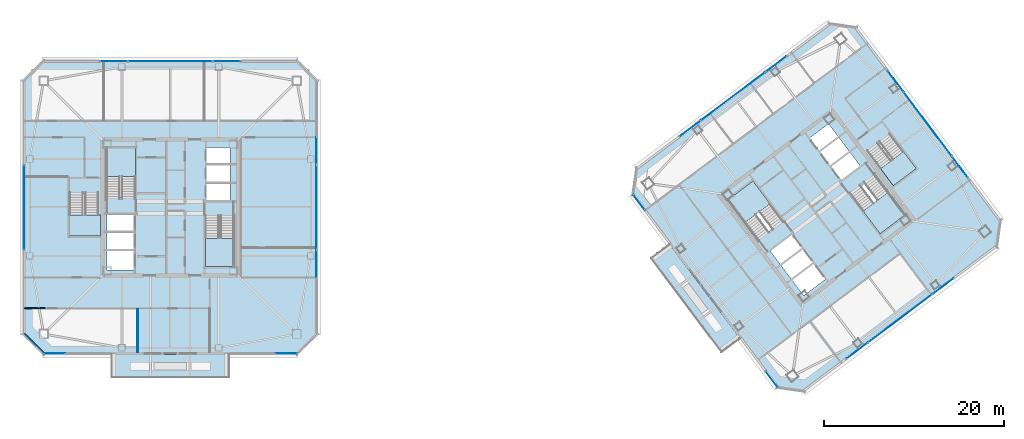
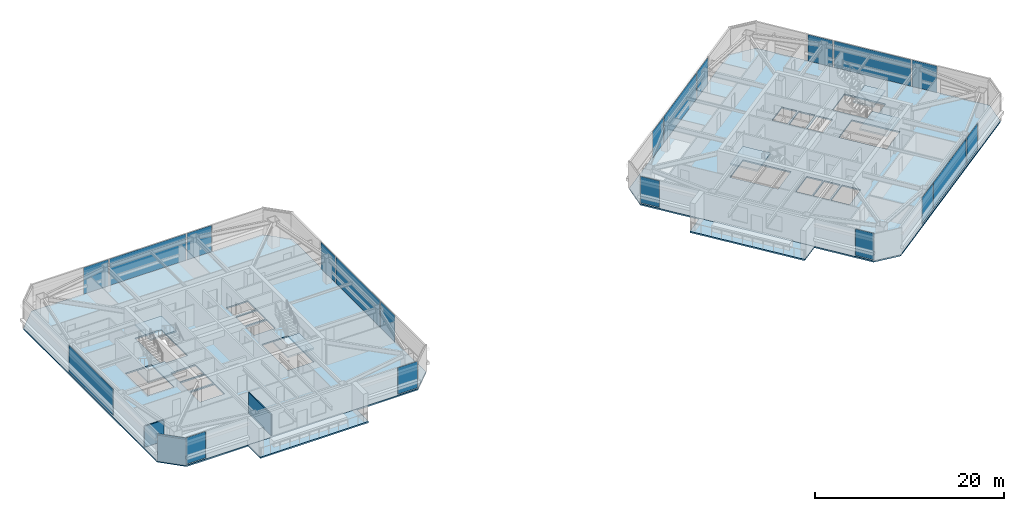
# One storey, part 28 of 40: 20 plates, 10 slabs, 3 walls, 26 elements without a shape of their own.
"""IFC4 building model written with IfcOpenShell, lengths in metres."""

from ifc_helpers import new_model, si_unit, direction, frame, frame_2d, origin, origin_2d, place, context, subcontext, project, spatial, polyline, rectangle, outline, extrude, material, layer, layer_set, type_object, element, aggregate, save


model = new_model("IFC4")

# Units and contexts
model_context = context("Model", 3, precision=1e-05, world=origin(), true_north=direction((0.0, 1.0)))
body_context = subcontext(model_context, "Body", "Model", "MODEL_VIEW")
ifc_project = project(units=[si_unit("LENGTHUNIT", "METRE"), si_unit("AREAUNIT", "SQUARE_METRE"), si_unit("VOLUMEUNIT", "CUBIC_METRE"), si_unit("PLANEANGLEUNIT", "RADIAN"), si_unit("MASSUNIT", "GRAM", prefix="KILO")], contexts=[model_context])

# Site, building, storey
site_placement = place(None, origin())
site = spatial("IfcSite", under=ifc_project, at=site_placement, CompositionType="ELEMENT")
building_placement = place(site_placement, origin())
building = spatial("IfcBuilding", under=site, at=building_placement, Name="Tashvorn Skyway Center", CompositionType="ELEMENT")
storey_placement = place(building_placement, frame((0.0, 0.0, 221.949951171875)))
storey = spatial("IfcBuildingStorey", under=building, at=storey_placement, Name="L60", CompositionType="ELEMENT", Elevation=221.949951171875)

# Curtain wall, plate
ifc_material_1 = material(Name="Thermally broken bronze-anodized aluminium 6063-T6", Category="aluminium")
curtain_wall_type = type_object("IfcCurtainWallType", Name="CW-CW-Z5", PredefinedType="NOTDEFINED", material=ifc_material_1)
curtain_wall_1_placement = place(storey_placement, origin())
curtain_wall_1 = element("IfcCurtainWall", 1, at=curtain_wall_1_placement, inside=storey, type_object=curtain_wall_type, Name="Tower 1 L60 South Curtain Wall L Glazing Group 1", PredefinedType="NOTDEFINED")
ifc_material_2 = material(Name="Low-E solar-control double insulating safety glass", Category="glass")
ifc_layer_1 = layer(ifc_material_2, 0.031982421875)
ifc_layer_set_1 = layer_set([ifc_layer_1], Name="Low-E solar-control double insulating safety glass")
plate_type = type_object("IfcPlateType", Name="CWP-CW-Z5", PredefinedType="CURTAIN_PANEL", material=ifc_layer_set_1)
plate_1_placement = place(storey_placement, frame((54.916748046875, 15.719970703125, 0.0703125), z_axis=(0.0, 0.0, 1.0), x_axis=(-1.0, 0.0, 0.0)))
plate_1 = element("IfcPlate", 2, at=plate_1_placement, type_object=plate_type, Name="CW-Z5 panel 1.1", PredefinedType="CURTAIN_PANEL", context=body_context, shape_type="SweptSolid", body=[
    extrude(rectangle(XDim=2.38671875, YDim=0.031982421875, at=origin_2d()), origin(), (0.0, 0.0, 1.0), 3.409912109375),
])
aggregate(curtain_wall_1, [plate_1])

curtain_wall_2_placement = place(storey_placement, origin())
curtain_wall_2 = element("IfcCurtainWall", 3, at=curtain_wall_2_placement, inside=storey, type_object=curtain_wall_type, Name="Tower 1 L60 South Curtain Wall R Glazing Group 1", PredefinedType="NOTDEFINED")
plate_2_placement = place(storey_placement, frame((29.083251953125, 15.719970703125, 0.0703125), z_axis=(0.0, 0.0, 1.0), x_axis=(-1.0, 0.0, 0.0)))
plate_2 = element("IfcPlate", 4, at=plate_2_placement, type_object=plate_type, Name="CW-Z5 panel 1.1", PredefinedType="CURTAIN_PANEL", context=body_context, shape_type="SweptSolid", body=[
    extrude(rectangle(XDim=2.38671875, YDim=0.031982421875, at=origin_2d()), origin(), (0.0, 0.0, 1.0), 3.409912109375),
])
aggregate(curtain_wall_2, [plate_2])

curtain_wall_3_placement = place(storey_placement, origin())
curtain_wall_3 = element("IfcCurtainWall", 5, at=curtain_wall_3_placement, inside=storey, type_object=curtain_wall_type, Name="Tower 1 L60 West Unitised Curtain Wall Glazing Group 1", PredefinedType="NOTDEFINED")
plate_3_placement = place(storey_placement, frame((25.719970703125, 32.0, 0.0703125), z_axis=(0.0, 0.0, 1.0), x_axis=(0.0, 1.0, 0.0)))
plate_3 = element("IfcPlate", 6, at=plate_3_placement, type_object=plate_type, Name="CW-Z5 panel 1.1", PredefinedType="CURTAIN_PANEL", context=body_context, shape_type="SweptSolid", body=[
    extrude(rectangle(XDim=9.3134765625, YDim=0.031982421875, at=origin_2d()), origin(), (0.0, 0.0, 1.0), 3.409912109375),
])
aggregate(curtain_wall_3, [plate_3])

curtain_wall_4_placement = place(storey_placement, origin())
curtain_wall_4 = element("IfcCurtainWall", 7, at=curtain_wall_4_placement, inside=storey, type_object=curtain_wall_type, Name="Tower 1 L60 North Unitised Curtain Wall Glazing Group 1", PredefinedType="NOTDEFINED")
plate_4_placement = place(storey_placement, frame((35.69775390625, 48.280029296875, 0.0703125), z_axis=(0.0, 0.0, 1.0), x_axis=(1.0, 0.0, 0.0)))
plate_4 = element("IfcPlate", 8, at=plate_4_placement, type_object=plate_type, Name="CW-Z5 panel 1.1", PredefinedType="CURTAIN_PANEL", context=body_context, shape_type="SweptSolid", body=[
    extrude(rectangle(XDim=3.010986328125, YDim=0.031982421875, at=origin_2d()), origin(), (0.0, 0.0, 1.0), 3.409912109375),
])
aggregate(curtain_wall_4, [plate_4])

curtain_wall_5_placement = place(storey_placement, origin())
curtain_wall_5 = element("IfcCurtainWall", 9, at=curtain_wall_5_placement, inside=storey, type_object=curtain_wall_type, Name="Tower 1 L60 North Unitised Curtain Wall Glazing Group 2", PredefinedType="NOTDEFINED")
plate_5_placement = place(storey_placement, frame((42.0, 48.280029296875, 0.0703125), z_axis=(0.0, 0.0, 1.0), x_axis=(1.0, 0.0, 0.0)))
plate_5 = element("IfcPlate", 10, at=plate_5_placement, type_object=plate_type, Name="CW-Z5 panel 1.1", PredefinedType="CURTAIN_PANEL", context=body_context, shape_type="SweptSolid", body=[
    extrude(rectangle(XDim=9.3134765625, YDim=0.031982421875, at=origin_2d()), origin(), (0.0, 0.0, 1.0), 3.409912109375),
])
aggregate(curtain_wall_5, [plate_5])

curtain_wall_6_placement = place(storey_placement, origin())
curtain_wall_6 = element("IfcCurtainWall", 11, at=curtain_wall_6_placement, inside=storey, type_object=curtain_wall_type, Name="Tower 1 L60 North Unitised Curtain Wall Glazing Group 3", PredefinedType="NOTDEFINED")
plate_6_placement = place(storey_placement, frame((48.30224609375, 48.280029296875, 0.0703125), z_axis=(0.0, 0.0, 1.0), x_axis=(1.0, 0.0, 0.0)))
plate_6 = element("IfcPlate", 12, at=plate_6_placement, type_object=plate_type, Name="CW-Z5 panel 1.1", PredefinedType="CURTAIN_PANEL", context=body_context, shape_type="SweptSolid", body=[
    extrude(rectangle(XDim=3.010986328125, YDim=0.031982421875, at=origin_2d()), origin(), (0.0, 0.0, 1.0), 3.409912109375),
])
aggregate(curtain_wall_6, [plate_6])

curtain_wall_7_placement = place(storey_placement, origin())
curtain_wall_7 = element("IfcCurtainWall", 13, at=curtain_wall_7_placement, inside=storey, type_object=curtain_wall_type, Name="Tower 1 L60 East Unitised Curtain Wall Glazing Group 1", PredefinedType="NOTDEFINED")
plate_7_placement = place(storey_placement, frame((58.280029296875, 38.30224609375, 0.0703125), z_axis=(0.0, 0.0, 1.0), x_axis=(0.0, -1.0, 0.0)))
plate_7 = element("IfcPlate", 14, at=plate_7_placement, type_object=plate_type, Name="CW-Z5 panel 1.1", PredefinedType="CURTAIN_PANEL", context=body_context, shape_type="SweptSolid", body=[
    extrude(rectangle(XDim=3.010986328125, YDim=0.031982421875, at=origin_2d()), origin(), (0.0, 0.0, 1.0), 3.409912109375),
])
aggregate(curtain_wall_7, [plate_7])

curtain_wall_8_placement = place(storey_placement, origin())
curtain_wall_8 = element("IfcCurtainWall", 15, at=curtain_wall_8_placement, inside=storey, type_object=curtain_wall_type, Name="Tower 1 L60 East Unitised Curtain Wall Glazing Group 2", PredefinedType="NOTDEFINED")
plate_8_placement = place(storey_placement, frame((58.280029296875, 32.0, 0.0703125), z_axis=(0.0, 0.0, 1.0), x_axis=(0.0, -1.0, 0.0)))
plate_8 = element("IfcPlate", 16, at=plate_8_placement, type_object=plate_type, Name="CW-Z5 panel 1.1", PredefinedType="CURTAIN_PANEL", context=body_context, shape_type="SweptSolid", body=[
    extrude(rectangle(XDim=9.3134765625, YDim=0.031982421875, at=origin_2d()), origin(), (0.0, 0.0, 1.0), 3.409912109375),
])
aggregate(curtain_wall_8, [plate_8])

curtain_wall_9_placement = place(storey_placement, origin())
curtain_wall_9 = element("IfcCurtainWall", 17, at=curtain_wall_9_placement, inside=storey, type_object=curtain_wall_type, Name="Tower 1 L60 East Unitised Curtain Wall Glazing Group 3", PredefinedType="NOTDEFINED")
plate_9_placement = place(storey_placement, frame((58.280029296875, 25.69775390625, 0.0703125), z_axis=(0.0, 0.0, 1.0), x_axis=(0.0, -1.0, 0.0)))
plate_9 = element("IfcPlate", 18, at=plate_9_placement, type_object=plate_type, Name="CW-Z5 panel 1.1", PredefinedType="CURTAIN_PANEL", context=body_context, shape_type="SweptSolid", body=[
    extrude(rectangle(XDim=3.010986328125, YDim=0.031982421875, at=origin_2d()), origin(), (0.0, 0.0, 1.0), 3.409912109375),
])
aggregate(curtain_wall_9, [plate_9])

curtain_wall_10_placement = place(storey_placement, origin())
curtain_wall_10 = element("IfcCurtainWall", 19, at=curtain_wall_10_placement, inside=storey, type_object=curtain_wall_type, Name="Tower 2 L60 South Unitised Curtain Wall Glazing Group 1", PredefinedType="NOTDEFINED")
plate_10_placement = place(storey_placement, frame((128.080810546875, 23.210693359375, 0.0703125), z_axis=(0.0, 0.0, 1.0), x_axis=(-0.799999999998, -0.600000000002, 0.0)))
plate_10 = element("IfcPlate", 20, at=plate_10_placement, type_object=plate_type, Name="CW-Z5 panel 1.1", PredefinedType="CURTAIN_PANEL", context=body_context, shape_type="SweptSolid", body=[
    extrude(rectangle(XDim=2.85546875, YDim=0.031982421875, at=origin_2d()), origin(), (0.0, 0.0, 1.0), 3.409912109375),
])
aggregate(curtain_wall_10, [plate_10])

curtain_wall_11_placement = place(storey_placement, origin())
curtain_wall_11 = element("IfcCurtainWall", 21, at=curtain_wall_11_placement, inside=storey, type_object=curtain_wall_type, Name="Tower 2 L60 South Unitised Curtain Wall Glazing Group 2", PredefinedType="NOTDEFINED")
plate_11_placement = place(storey_placement, frame((123.2880859375, 19.615966796875, 0.0703125), z_axis=(0.0, 0.0, 1.0), x_axis=(-0.800002670596, -0.599996439189, 0.0)))
plate_11 = element("IfcPlate", 22, at=plate_11_placement, type_object=plate_type, Name="CW-Z5 panel 1.1", PredefinedType="CURTAIN_PANEL", context=body_context, shape_type="SweptSolid", body=[
    extrude(rectangle(XDim=8.8466796875, YDim=0.031982421875, at=origin_2d()), origin(), (0.0, 0.0, 1.0), 3.409912109375),
])
aggregate(curtain_wall_11, [plate_11])

curtain_wall_12_placement = place(storey_placement, origin())
curtain_wall_12 = element("IfcCurtainWall", 23, at=curtain_wall_12_placement, inside=storey, type_object=curtain_wall_type, Name="Tower 2 L60 South Unitised Curtain Wall Glazing Group 3", PredefinedType="NOTDEFINED")
plate_12_placement = place(storey_placement, frame((118.4951171875, 16.021240234375, 0.0703125), z_axis=(0.0, 0.0, 1.0), x_axis=(-0.799999999998, -0.600000000002, 0.0)))
plate_12 = element("IfcPlate", 24, at=plate_12_placement, type_object=plate_type, Name="CW-Z5 panel 1.1", PredefinedType="CURTAIN_PANEL", context=body_context, shape_type="SweptSolid", body=[
    extrude(rectangle(XDim=2.85546875, YDim=0.031982421875, at=origin_2d()), origin(), (0.0, 0.0, 1.0), 3.409912109375),
])
aggregate(curtain_wall_12, [plate_12])

curtain_wall_13_placement = place(storey_placement, origin())
curtain_wall_13 = element("IfcCurtainWall", 25, at=curtain_wall_13_placement, inside=storey, type_object=curtain_wall_type, Name="Tower 2 L60 West Curtain Wall L Glazing Group 1", PredefinedType="NOTDEFINED")
plate_13_placement = place(storey_placement, frame((109.01611328125, 12.845458984375, 0.0703125), z_axis=(0.0, 0.0, 1.0), x_axis=(-0.599993023312, 0.800005232469, 0.0)))
plate_13 = element("IfcPlate", 26, at=plate_13_placement, type_object=plate_type, Name="CW-Z5 panel 1.1", PredefinedType="CURTAIN_PANEL", context=body_context, shape_type="SweptSolid", body=[
    extrude(rectangle(XDim=2.1533203125, YDim=0.031982421875, at=origin_2d()), origin(), (0.0, 0.0, 1.0), 3.409912109375),
])
aggregate(curtain_wall_13, [plate_13])

curtain_wall_14_placement = place(storey_placement, origin())
curtain_wall_14 = element("IfcCurtainWall", 27, at=curtain_wall_14_placement, inside=storey, type_object=curtain_wall_type, Name="Tower 2 L60 West Curtain Wall R Glazing Group 1", PredefinedType="NOTDEFINED")
plate_14_placement = place(storey_placement, frame((94.216064453125, 32.57861328125, 0.0703125), z_axis=(0.0, 0.0, 1.0), x_axis=(-0.599993023312, 0.800005232469, 0.0)))
plate_14 = element("IfcPlate", 28, at=plate_14_placement, type_object=plate_type, Name="CW-Z5 panel 1.1", PredefinedType="CURTAIN_PANEL", context=body_context, shape_type="SweptSolid", body=[
    extrude(rectangle(XDim=2.1533203125, YDim=0.031982421875, at=origin_2d()), origin(), (0.0, 0.0, 1.0), 3.409912109375),
])
aggregate(curtain_wall_14, [plate_14])

curtain_wall_15_placement = place(storey_placement, origin())
curtain_wall_15 = element("IfcCurtainWall", 29, at=curtain_wall_15_placement, inside=storey, type_object=curtain_wall_type, Name="Tower 2 L60 North Unitised Curtain Wall Glazing Group 1", PredefinedType="NOTDEFINED")
plate_15_placement = place(storey_placement, frame((99.919189453125, 40.789306640625, 0.0703125), z_axis=(0.0, 0.0, 1.0), x_axis=(0.799999999998, 0.600000000002, 0.0)))
plate_15 = element("IfcPlate", 30, at=plate_15_placement, type_object=plate_type, Name="CW-Z5 panel 1.1", PredefinedType="CURTAIN_PANEL", context=body_context, shape_type="SweptSolid", body=[
    extrude(rectangle(XDim=2.85546875, YDim=0.031982421875, at=origin_2d()), origin(), (0.0, 0.0, 1.0), 3.409912109375),
])
aggregate(curtain_wall_15, [plate_15])

curtain_wall_16_placement = place(storey_placement, origin())
curtain_wall_16 = element("IfcCurtainWall", 31, at=curtain_wall_16_placement, inside=storey, type_object=curtain_wall_type, Name="Tower 2 L60 North Unitised Curtain Wall Glazing Group 2", PredefinedType="NOTDEFINED")
plate_16_placement = place(storey_placement, frame((104.7119140625, 44.384033203125, 0.0703125), z_axis=(0.0, 0.0, 1.0), x_axis=(0.800002670596, 0.599996439189, 0.0)))
plate_16 = element("IfcPlate", 32, at=plate_16_placement, type_object=plate_type, Name="CW-Z5 panel 1.1", PredefinedType="CURTAIN_PANEL", context=body_context, shape_type="SweptSolid", body=[
    extrude(rectangle(XDim=8.8466796875, YDim=0.031982421875, at=origin_2d()), origin(), (0.0, 0.0, 1.0), 3.409912109375),
])
aggregate(curtain_wall_16, [plate_16])

curtain_wall_17_placement = place(storey_placement, origin())
curtain_wall_17 = element("IfcCurtainWall", 33, at=curtain_wall_17_placement, inside=storey, type_object=curtain_wall_type, Name="Tower 2 L60 North Unitised Curtain Wall Glazing Group 3", PredefinedType="NOTDEFINED")
plate_17_placement = place(storey_placement, frame((109.5048828125, 47.978759765625, 0.0703125), z_axis=(0.0, 0.0, 1.0), x_axis=(0.799999999998, 0.600000000002, 0.0)))
plate_17 = element("IfcPlate", 34, at=plate_17_placement, type_object=plate_type, Name="CW-Z5 panel 1.1", PredefinedType="CURTAIN_PANEL", context=body_context, shape_type="SweptSolid", body=[
    extrude(rectangle(XDim=2.85546875, YDim=0.031982421875, at=origin_2d()), origin(), (0.0, 0.0, 1.0), 3.409912109375),
])
aggregate(curtain_wall_17, [plate_17])

curtain_wall_18_placement = place(storey_placement, origin())
curtain_wall_18 = element("IfcCurtainWall", 35, at=curtain_wall_18_placement, inside=storey, type_object=curtain_wall_type, Name="Tower 2 L60 East Unitised Curtain Wall Glazing Group 1", PredefinedType="NOTDEFINED")
plate_18_placement = place(storey_placement, frame((122.789306640625, 46.080810546875, 0.0703125), z_axis=(0.0, 0.0, 1.0), x_axis=(0.600000000002, -0.799999999998, 0.0)))
plate_18 = element("IfcPlate", 36, at=plate_18_placement, type_object=plate_type, Name="CW-Z5 panel 1.1", PredefinedType="CURTAIN_PANEL", context=body_context, shape_type="SweptSolid", body=[
    extrude(rectangle(XDim=2.85546875, YDim=0.031982421875, at=origin_2d()), origin(), (0.0, 0.0, 1.0), 3.409912109375),
])
aggregate(curtain_wall_18, [plate_18])

curtain_wall_19_placement = place(storey_placement, origin())
curtain_wall_19 = element("IfcCurtainWall", 37, at=curtain_wall_19_placement, inside=storey, type_object=curtain_wall_type, Name="Tower 2 L60 East Unitised Curtain Wall Glazing Group 2", PredefinedType="NOTDEFINED")
plate_19_placement = place(storey_placement, frame((126.384033203125, 41.2880859375, 0.0703125), z_axis=(0.0, 0.0, 1.0), x_axis=(0.599996439189, -0.800002670596, 0.0)))
plate_19 = element("IfcPlate", 38, at=plate_19_placement, type_object=plate_type, Name="CW-Z5 panel 1.1", PredefinedType="CURTAIN_PANEL", context=body_context, shape_type="SweptSolid", body=[
    extrude(rectangle(XDim=8.8466796875, YDim=0.031982421875, at=origin_2d()), origin(), (0.0, 0.0, 1.0), 3.409912109375),
])
aggregate(curtain_wall_19, [plate_19])

curtain_wall_20_placement = place(storey_placement, origin())
curtain_wall_20 = element("IfcCurtainWall", 39, at=curtain_wall_20_placement, inside=storey, type_object=curtain_wall_type, Name="Tower 2 L60 East Unitised Curtain Wall Glazing Group 3", PredefinedType="NOTDEFINED")
plate_20_placement = place(storey_placement, frame((129.978759765625, 36.4951171875, 0.0703125), z_axis=(0.0, 0.0, 1.0), x_axis=(0.600000000002, -0.799999999998, 0.0)))
plate_20 = element("IfcPlate", 40, at=plate_20_placement, type_object=plate_type, Name="CW-Z5 panel 1.1", PredefinedType="CURTAIN_PANEL", context=body_context, shape_type="SweptSolid", body=[
    extrude(rectangle(XDim=2.85546875, YDim=0.031982421875, at=origin_2d()), origin(), (0.0, 0.0, 1.0), 3.409912109375),
])
aggregate(curtain_wall_20, [plate_20])

# Slabs
ifc_material_3 = material(Name="Concrete C40/50", Category="concrete")
ifc_layer_2 = layer(ifc_material_3, 0.179931640625)
ifc_layer_set_2 = layer_set([ifc_layer_2], Name="Concrete C40/50")
slab_type_1 = type_object("IfcSlabType", Name="SLAB-FLR-180", PredefinedType="FLOOR", material=ifc_layer_set_2)
slab_1_placement = place(storey_placement, frame((0.0, 0.0, -0.179931640625)))
element("IfcSlab", 41, at=slab_1_placement, inside=storey, type_object=slab_type_1, Name="Tower 1 L60 Composite Floor Slab", PredefinedType="FLOOR", context=body_context, shape_type="SweptSolid", body=[
    extrude(outline(polyline([(27.89990234375, 15.60009765625), (56.10009765625, 15.60009765625), (58.39990234375, 17.89990234375), (58.39990234375, 46.10009765625), (56.10009765625, 48.39990234375), (27.89990234375, 48.39990234375), (25.60009765625, 46.10009765625), (25.60009765625, 17.89990234375), (27.89990234375, 15.60009765625)]), holes=[polyline([(38.10009765625, 33.080078125), (38.10009765625, 38.60009765625), (34.89990234375, 38.60009765625), (34.89990234375, 33.080078125), (38.10009765625, 33.080078125)]), polyline([(45.89990234375, 30.919921875), (45.89990234375, 25.39990234375), (49.10009765625, 25.39990234375), (49.10009765625, 30.919921875), (45.89990234375, 30.919921875)]), polyline([(30.800048828125, 33.52001953125), (30.800048828125, 28.800048828125), (34.0, 28.800048828125), (34.0, 33.52001953125), (30.800048828125, 33.52001953125)]), polyline([(34.949951171875, 29.35009765625), (37.949951171875, 29.35009765625), (37.949951171875, 31.199951171875), (34.949951171875, 31.199951171875), (34.949951171875, 29.35009765625)]), polyline([(34.949951171875, 27.35009765625), (37.949951171875, 27.35009765625), (37.949951171875, 29.199951171875), (34.949951171875, 29.199951171875), (34.949951171875, 27.35009765625)]), polyline([(34.949951171875, 25.0), (37.949951171875, 25.0), (37.949951171875, 27.14990234375), (34.949951171875, 27.14990234375), (34.949951171875, 25.0)]), polyline([(46.050048828125, 32.800048828125), (48.64990234375, 32.800048828125), (48.64990234375, 34.64990234375), (46.050048828125, 34.64990234375), (46.050048828125, 32.800048828125)]), polyline([(46.050048828125, 34.85009765625), (48.64990234375, 34.85009765625), (48.64990234375, 36.699951171875), (46.050048828125, 36.699951171875), (46.050048828125, 34.85009765625)]), polyline([(46.050048828125, 36.89990234375), (48.64990234375, 36.89990234375), (48.64990234375, 38.64990234375), (46.050048828125, 38.64990234375), (46.050048828125, 36.89990234375)])]), origin(), (0.0, 0.0, 1.0), 0.179931640625),
])
slab_2_placement = place(storey_placement, frame((0.0, 0.0, -0.179931640625)))
element("IfcSlab", 42, at=slab_2_placement, inside=storey, type_object=slab_type_1, Name="Tower 2 L60 Composite Floor Slab", PredefinedType="FLOOR", context=body_context, shape_type="SweptSolid", body=[
    extrude(outline(polyline([(112.639892578125, 11.47998046875), (134.080078125, 27.56005859375), (134.52001953125, 30.639892578125), (118.43994140625, 52.080078125), (115.360107421875, 52.52001953125), (93.919921875, 36.43994140625), (93.47998046875, 33.360107421875), (109.56005859375, 11.919921875), (112.639892578125, 11.47998046875)]), holes=[polyline([(110.23193359375, 30.52392578125), (106.919921875, 34.93994140625), (104.135986328125, 32.85205078125), (107.447998046875, 28.43603515625), (110.23193359375, 30.52392578125)]), polyline([(117.76806640625, 33.47607421875), (121.080078125, 29.06005859375), (123.864013671875, 31.14794921875), (120.552001953125, 35.56396484375), (117.76806640625, 33.47607421875)]), polyline([(119.7119140625, 38.18408203125), (122.5439453125, 34.407958984375), (125.10400390625, 36.327880859375), (122.27197265625, 40.10400390625), (119.7119140625, 38.18408203125)]), polyline([(109.949951171875, 25.64990234375), (112.35009765625, 27.449951171875), (111.239990234375, 28.929931640625), (108.840087890625, 27.1298828125), (109.949951171875, 25.64990234375)]), polyline([(111.14990234375, 24.050048828125), (113.550048828125, 25.85009765625), (112.43994140625, 27.330078125), (110.0400390625, 25.530029296875), (111.14990234375, 24.050048828125)]), polyline([(112.56005859375, 22.169921875), (114.9599609375, 23.969970703125), (113.669921875, 25.68994140625), (111.27001953125, 23.889892578125), (112.56005859375, 22.169921875)]), polyline([(116.760009765625, 35.070068359375), (118.840087890625, 36.6298828125), (117.72998046875, 38.110107421875), (115.64990234375, 36.550048828125), (116.760009765625, 35.070068359375)]), polyline([(115.530029296875, 36.7099609375), (117.610107421875, 38.27001953125), (116.5, 39.75), (114.419921875, 38.18994140625), (115.530029296875, 36.7099609375)]), polyline([(114.300048828125, 38.35009765625), (116.3798828125, 39.909912109375), (115.330078125, 41.31005859375), (113.25, 39.75), (114.300048828125, 38.35009765625)])]), origin(), (0.0, 0.0, 1.0), 0.179931640625),
])

# Stair, slab
stair_type = type_object("IfcStairType", Name="STAIR-CORE-1500", PredefinedType="HALF_TURN_STAIR", material=ifc_material_3)
stair_1_placement = place(storey_placement, origin())
stair_1 = element("IfcStair", 43, at=stair_1_placement, inside=storey, type_object=stair_type, Name="L60 Tower 1 Exit Stair 1", PredefinedType="HALF_TURN_STAIR")
ifc_layer_3 = layer(ifc_material_3, 0.199951171875)
ifc_layer_set_3 = layer_set([ifc_layer_3], Name="Concrete C40/50")
slab_type_2 = type_object("IfcSlabType", Name="SLAB-LAND-200", PredefinedType="LANDING", material=ifc_layer_set_3)
slab_3_placement = place(storey_placement, frame((0.0, 0.0, 1.574951171875)))
slab_3 = element("IfcSlab", 44, at=slab_3_placement, type_object=slab_type_2, Name="ST-T1-1 landing 1", PredefinedType="LANDING", context=body_context, shape_type="SweptSolid", body=[
    extrude(outline(polyline([(38.10009765625, 35.43994140625), (38.10009765625, 38.60009765625), (34.89990234375, 38.60009765625), (34.89990234375, 35.43994140625), (38.10009765625, 35.43994140625)])), origin(), (0.0, 0.0, 1.0), 0.2001953125),
])
aggregate(stair_1, [slab_3])

stair_2_placement = place(storey_placement, origin())
stair_2 = element("IfcStair", 45, at=stair_2_placement, inside=storey, type_object=stair_type, Name="L60 Tower 1 Exit Stair 2", PredefinedType="HALF_TURN_STAIR")
slab_4_placement = place(storey_placement, frame((0.0, 0.0, 1.574951171875)))
slab_4 = element("IfcSlab", 46, at=slab_4_placement, type_object=slab_type_2, Name="ST-T1-2 landing 1", PredefinedType="LANDING", context=body_context, shape_type="SweptSolid", body=[
    extrude(outline(polyline([(45.89990234375, 28.56005859375), (45.89990234375, 25.39990234375), (49.10009765625, 25.39990234375), (49.10009765625, 28.56005859375), (45.89990234375, 28.56005859375)])), origin(), (0.0, 0.0, 1.0), 0.2001953125),
])
aggregate(stair_2, [slab_4])

stair_3_placement = place(storey_placement, origin())
stair_3 = element("IfcStair", 47, at=stair_3_placement, inside=storey, type_object=stair_type, Name="L60 Tower 2 Exit Stair 1", PredefinedType="HALF_TURN_STAIR")
slab_5_placement = place(storey_placement, frame((0.0, 0.0, 1.574951171875)))
slab_5 = element("IfcSlab", 48, at=slab_5_placement, type_object=slab_type_2, Name="ST-T2-1 landing 1", PredefinedType="LANDING", context=body_context, shape_type="SweptSolid", body=[
    extrude(outline(polyline([(108.82080078125, 32.405517578125), (106.919921875, 34.93994140625), (104.135986328125, 32.85205078125), (106.036865234375, 30.317626953125), (108.82080078125, 32.405517578125)])), origin(), (0.0, 0.0, 1.0), 0.2001953125),
])
aggregate(stair_3, [slab_5])

stair_4_placement = place(storey_placement, origin())
stair_4 = element("IfcStair", 49, at=stair_4_placement, inside=storey, type_object=stair_type, Name="L60 Tower 2 Exit Stair 2", PredefinedType="HALF_TURN_STAIR")
slab_6_placement = place(storey_placement, frame((0.0, 0.0, 1.574951171875)))
slab_6 = element("IfcSlab", 50, at=slab_6_placement, type_object=slab_type_2, Name="ST-T2-2 landing 1", PredefinedType="LANDING", context=body_context, shape_type="SweptSolid", body=[
    extrude(outline(polyline([(119.17919921875, 31.594482421875), (121.080078125, 29.06005859375), (123.864013671875, 31.14794921875), (121.963134765625, 33.682373046875), (119.17919921875, 31.594482421875)])), origin(), (0.0, 0.0, 1.0), 0.2001953125),
])
aggregate(stair_4, [slab_6])

stair_5_placement = place(storey_placement, origin())
stair_5 = element("IfcStair", 51, at=stair_5_placement, inside=storey, type_object=stair_type, Name="L60 Tower 1 Exit Stair 3", PredefinedType="HALF_TURN_STAIR")
slab_7_placement = place(storey_placement, frame((0.0, 0.0, 1.574951171875)))
slab_7 = element("IfcSlab", 52, at=slab_7_placement, type_object=slab_type_2, Name="ST-T1-3 landing 1", PredefinedType="LANDING", context=body_context, shape_type="SweptSolid", body=[
    extrude(outline(polyline([(30.800048828125, 31.159912109375), (30.800048828125, 28.800048828125), (34.199951171875, 28.800048828125), (34.199951171875, 31.159912109375), (30.800048828125, 31.159912109375)])), origin(), (0.0, 0.0, 1.0), 0.2001953125),
])
aggregate(stair_5, [slab_7])

stair_6_placement = place(storey_placement, origin())
stair_6 = element("IfcStair", 53, at=stair_6_placement, inside=storey, type_object=stair_type, Name="L60 Tower 2 Exit Stair 3", PredefinedType="HALF_TURN_STAIR")
slab_8_placement = place(storey_placement, frame((0.0, 0.0, 1.574951171875)))
slab_8 = element("IfcSlab", 54, at=slab_8_placement, type_object=slab_type_2, Name="ST-T2-3 landing 1", PredefinedType="LANDING", context=body_context, shape_type="SweptSolid", body=[
    extrude(outline(polyline([(121.123291015625, 36.302490234375), (122.5439453125, 34.407958984375), (125.10400390625, 36.327880859375), (123.68310546875, 38.222412109375), (121.123291015625, 36.302490234375)])), origin(), (0.0, 0.0, 1.0), 0.2001953125),
])
aggregate(stair_6, [slab_8])

# Slabs
ifc_layer_4 = layer(ifc_material_3, 0.179931640625)
ifc_layer_set_4 = layer_set([ifc_layer_4], Name="Concrete C40/50")
slab_type_3 = type_object("IfcSlabType", Name="SLAB-TERR-200", PredefinedType="FLOOR", material=ifc_layer_set_4)
slab_9_placement = place(storey_placement, frame((0.0, 0.0, -0.179931640625)))
element("IfcSlab", 55, at=slab_9_placement, inside=storey, type_object=slab_type_3, Name="Tower 1 L60 Sky Garden Slab", PredefinedType="FLOOR", context=body_context, shape_type="SweptSolid", body=[
    extrude(outline(polyline([(35.39990234375, 13.0), (48.60009765625, 13.0), (48.60009765625, 15.610107421875), (35.39990234375, 15.610107421875), (35.39990234375, 13.0)])), origin(), (0.0, 0.0, 1.0), 0.179931640625),
])
slab_10_placement = place(storey_placement, frame((0.0, 0.0, -0.179931640625)))
element("IfcSlab", 56, at=slab_10_placement, inside=storey, type_object=slab_type_3, Name="Tower 2 L60 Sky Garden Slab", PredefinedType="FLOOR", context=body_context, shape_type="SweptSolid", body=[
    extrude(outline(polyline([(103.39990234375, 15.800048828125), (105.488037109375, 17.365966796875), (97.568115234375, 27.926025390625), (95.47998046875, 26.360107421875), (103.39990234375, 15.800048828125)])), origin(), (0.0, 0.0, 1.0), 0.179931640625),
])

# Walls
ifc_material_4 = material(Name="Precast concrete C40/50", Category="concrete")
ifc_layer_5 = layer(ifc_material_4, 0.280029296875)
ifc_layer_set_5 = layer_set([ifc_layer_5], Name="Precast concrete C40/50")
wall_type_1 = type_object("IfcWallType", Name="WALL-EXT-280", PredefinedType="SOLIDWALL", material=ifc_layer_set_5)
wall_1_placement = place(storey_placement, frame((27.89990234375, 15.699951171875, 0.0), z_axis=(0.0, 0.0, 1.0), x_axis=(-0.707106781187, 0.707106781187, 0.0)))
element("IfcWall", 57, at=wall_1_placement, inside=storey, type_object=wall_type_1, Name="Tower 1 L60 SW Precast Chamfer Wall", PredefinedType="SOLIDWALL", context=body_context, shape_type="SweptSolid", body=[
    extrude(rectangle(XDim=3.111083984375, YDim=0.280029296875, at=frame_2d((1.5556640625, 0.0))), origin(), (0.0, 0.0, 1.0), 3.3701171875),
])
ifc_material_5 = material(Name="Gypsum board on cold-formed steel stud framing", Category="steel")
ifc_layer_6 = layer(ifc_material_5, 0.110107421875)
ifc_layer_set_6 = layer_set([ifc_layer_6], Name="Gypsum board on cold-formed steel stud framing")
wall_type_2 = type_object("IfcWallType", Name="WALL-PART-110", PredefinedType="PARTITIONING", material=ifc_layer_set_6)
wall_2_placement = place(storey_placement, frame((38.39990234375, 15.8701171875, 0.0), z_axis=(0.0, 0.0, 1.0), x_axis=(0.0, 1.0, 0.0)))
element("IfcWall", 58, at=wall_2_placement, inside=storey, type_object=wall_type_2, Name="Tower 1 L60 South Suite Partition 1", PredefinedType="PARTITIONING", context=body_context, shape_type="SweptSolid", body=[
    extrude(rectangle(XDim=4.7998046875, YDim=0.110107421875, at=frame_2d((2.39990234375, 0.0))), origin(), (0.0, 0.0, 1.0), 2.72314453125),
])
ifc_layer_7 = layer(ifc_material_5, 0.135009765625)
ifc_layer_set_7 = layer_set([ifc_layer_7], Name="Gypsum board on cold-formed steel stud framing")
wall_type_3 = type_object("IfcWallType", Name="WALL-PART-135", PredefinedType="PARTITIONING", material=ifc_layer_set_7)
wall_3_placement = place(storey_placement, frame((25.719970703125, 20.75, 0.0), z_axis=(0.0, 0.0, 1.0), x_axis=(1.0, 0.0, 0.0)))
element("IfcWall", 59, at=wall_3_placement, inside=storey, type_object=wall_type_3, Name="Tower 1 L60 South-West Suite North Wall", PredefinedType="PARTITIONING", context=body_context, shape_type="SweptSolid", body=[
    extrude(rectangle(XDim=2.330078125, YDim=0.135009765625, at=frame_2d((1.1650390625, 0.0))), origin(), (0.0, 0.0, 1.0), 2.72314453125),
])

save(model, "model.ifc")
